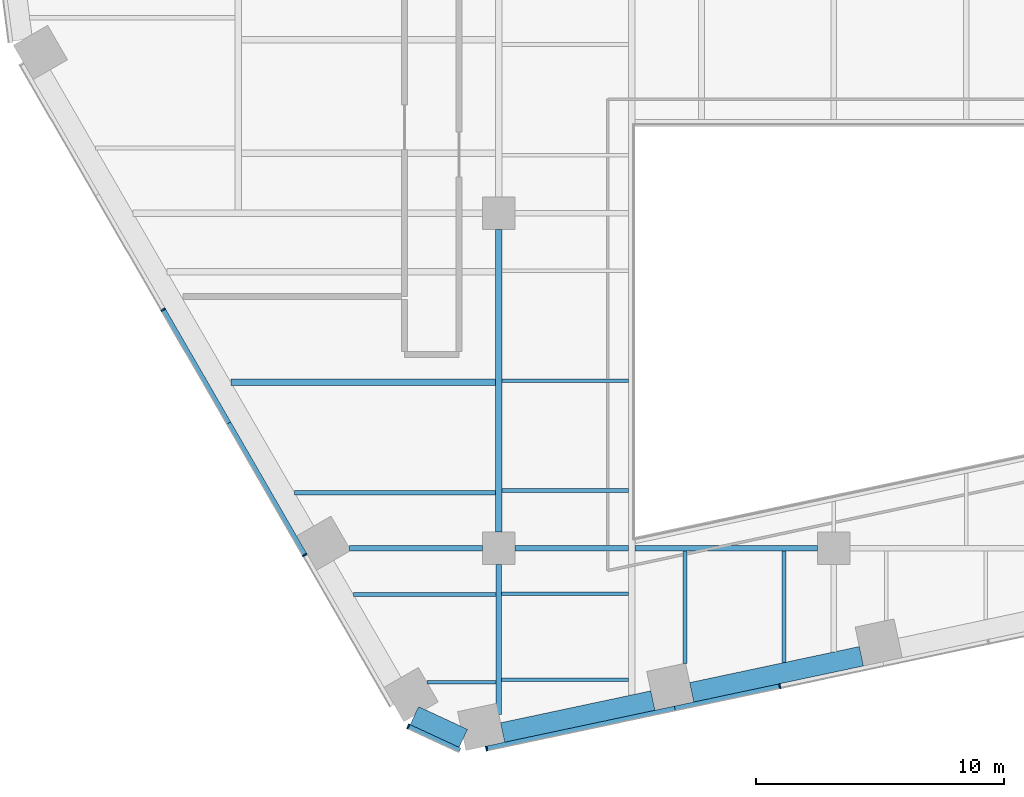
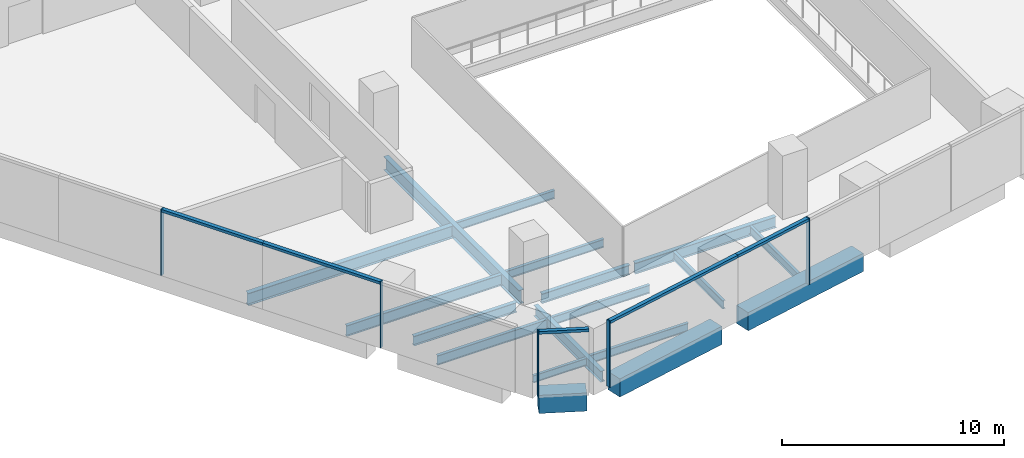
# One storey, part 2 of 19: 18 beams, 10 members, 3 elements without a shape of their own.
"""IFC4 building model written with IfcOpenShell, lengths in metres."""

from ifc_helpers import new_model, si_unit, direction, frame, origin, origin_2d, place, context, subcontext, project, spatial, rectangle, i_section, extrude, material, layer, layer_set, material_profile, profile_set, type_object, element, aggregate, save


model = new_model("IFC4")

# Units and contexts
model_context = context("Model", 3, precision=1e-05, world=origin(), true_north=direction((0.0, 1.0)))
body_context = subcontext(model_context, "Body", "Model", "MODEL_VIEW")
ifc_project = project(units=[si_unit("LENGTHUNIT", "METRE"), si_unit("AREAUNIT", "SQUARE_METRE"), si_unit("VOLUMEUNIT", "CUBIC_METRE"), si_unit("PLANEANGLEUNIT", "RADIAN"), si_unit("MASSUNIT", "GRAM", prefix="KILO")], contexts=[model_context])

# Site, building, storey
site_placement = place(None, origin())
site = spatial("IfcSite", under=ifc_project, at=site_placement, CompositionType="ELEMENT")
building_placement = place(site_placement, origin())
building = spatial("IfcBuilding", under=site, at=building_placement, Name="Isthmus Gate Tower", CompositionType="ELEMENT")
storey_placement = place(building_placement, frame((0.0, 0.0, 87.949951171875)))
storey = spatial("IfcBuildingStorey", under=building, at=storey_placement, Name="L20", CompositionType="ELEMENT", Elevation=87.949951171875)

# Curtain wall, members
ifc_material_1 = material(Name="Aluminium, pale champagne anodised", Category="aluminium")
ifc_layer = layer(ifc_material_1, 0.199951171875)
ifc_layer_set = layer_set([ifc_layer], Name="CW-1 UNITISED CURTAIN WALL 200 DEEP")
curtain_wall_type = type_object("IfcCurtainWallType", Name="CW-1 UNITISED CURTAIN WALL 200 DEEP", PredefinedType="NOTDEFINED", material=ifc_layer_set)
curtain_wall_1_placement = place(storey_placement, origin())
curtain_wall_1 = element("IfcCurtainWall", 1, at=curtain_wall_1_placement, inside=storey, type_object=curtain_wall_type, Name="CW-1 SW L20", PredefinedType="NOTDEFINED")
ifc_material_2 = material(Name="Aluminium, pale champagne anodised", Category="aluminium")
ifc_material_profile_1 = material_profile(ifc_material_2, rectangle(XDim=0.06005859375, YDim=0.199951171875, at=origin_2d()), Name="60x200")
ifc_profile_set_1 = profile_set([ifc_material_profile_1], Name="Aluminium, pale champagne anodised")
member_type_1 = type_object("IfcMemberType", Name="CW-1 MULLION 60 X 200", PredefinedType="MULLION", material=ifc_profile_set_1)
member_1_placement = place(storey_placement, frame((-27.026611328125, -17.388427734375, 0.0), z_axis=(0.0, 0.0, 1.0), x_axis=(0.5, -0.866025403784, 0.0)))
member_1 = element("IfcMember", 2, at=member_1_placement, type_object=member_type_1, Name="CW-1 mullion", PredefinedType="MULLION", context=body_context, shape_type="SweptSolid", body=[
    extrude(rectangle(XDim=0.06005859375, YDim=0.199951171875, at=origin_2d()), origin(), (0.0, 0.0, 1.0), 3.650146484375),
])
member_2_placement = place(storey_placement, frame((-21.318115234375, -27.27587890625, 0.0), z_axis=(0.0, 0.0, 1.0), x_axis=(0.5, -0.866025403784, 0.0)))
member_2 = element("IfcMember", 3, at=member_2_placement, type_object=member_type_1, Name="CW-1 mullion", PredefinedType="MULLION", context=body_context, shape_type="SweptSolid", body=[
    extrude(rectangle(XDim=0.06005859375, YDim=0.199951171875, at=origin_2d()), origin(), (0.0, 0.0, 1.0), 3.650146484375),
])

# Curtain wall, member
curtain_wall_2_placement = place(storey_placement, origin())
curtain_wall_2 = element("IfcCurtainWall", 4, at=curtain_wall_2_placement, inside=storey, type_object=curtain_wall_type, Name="CW-1 SW-S L20", PredefinedType="NOTDEFINED")
member_3_placement = place(storey_placement, frame((-17.14794921875, -34.184814453125, 0.0), z_axis=(0.0, 0.0, 1.0), x_axis=(0.907256261367, -0.420578264073, 0.0)))
member_3 = element("IfcMember", 5, at=member_3_placement, type_object=member_type_1, Name="CW-1 mullion", PredefinedType="MULLION", context=body_context, shape_type="SweptSolid", body=[
    extrude(rectangle(XDim=0.06005859375, YDim=0.199951171875, at=origin_2d()), origin(), (0.0, 0.0, 1.0), 3.650146484375),
])

# Curtain wall, members
curtain_wall_3_placement = place(storey_placement, origin())
curtain_wall_3 = element("IfcCurtainWall", 6, at=curtain_wall_3_placement, inside=storey, type_object=curtain_wall_type, Name="CW-1 S L20", PredefinedType="NOTDEFINED")
member_4_placement = place(storey_placement, frame((-13.992919921875, -35.076416015625, 0.0), z_axis=(0.0, 0.0, 1.0), x_axis=(0.978147600734, 0.207911690818, 0.0)))
member_4 = element("IfcMember", 7, at=member_4_placement, type_object=member_type_1, Name="CW-1 mullion", PredefinedType="MULLION", context=body_context, shape_type="SweptSolid", body=[
    extrude(rectangle(XDim=0.06005859375, YDim=0.199951171875, at=origin_2d()), origin(), (0.0, 0.0, 1.0), 3.650146484375),
])
member_5_placement = place(storey_placement, frame((-2.1728515625, -32.564208984375, 0.0), z_axis=(0.0, 0.0, 1.0), x_axis=(0.978147600734, 0.207911690818, 0.0)))
member_5 = element("IfcMember", 8, at=member_5_placement, type_object=member_type_1, Name="CW-1 mullion", PredefinedType="MULLION", context=body_context, shape_type="SweptSolid", body=[
    extrude(rectangle(XDim=0.06005859375, YDim=0.199951171875, at=origin_2d()), origin(), (0.0, 0.0, 1.0), 3.650146484375),
])

# Member
ifc_material_3 = material(Name="Aluminium, pale champagne anodised", Category="aluminium")
ifc_material_profile_2 = material_profile(ifc_material_3, rectangle(XDim=0.199951171875, YDim=0.14990234375, at=origin_2d()), Name="200x150")
ifc_profile_set_2 = profile_set([ifc_material_profile_2], Name="Aluminium, pale champagne anodised")
member_type_2 = type_object("IfcMemberType", Name="CW-1 TRANSOM 200 X 150", PredefinedType="USERDEFINED", material=ifc_profile_set_2)
member_6_placement = place(storey_placement, frame((-27.01171875, -17.414306640625, 3.574951171875), z_axis=(0.499996256241, -0.866027565234, 0.0), x_axis=(0.866027565234, 0.499996256241, 0.0)))
member_6 = element("IfcMember", 9, at=member_6_placement, type_object=member_type_2, Name="CW-1 transom", ObjectType="TRANSOM", PredefinedType="USERDEFINED", context=body_context, shape_type="SweptSolid", body=[
    extrude(rectangle(XDim=0.199951171875, YDim=0.14990234375, at=origin_2d()), origin(), (0.0, 0.0, 1.0), 5.24853515625),
])

member_7_placement = place(storey_placement, frame((-24.387451171875, -21.959716796875, 3.574951171875), z_axis=(0.500011900272, -0.86601853305, 0.0), x_axis=(0.86601853305, 0.500011900272, 0.0)))
member_7 = element("IfcMember", 10, at=member_7_placement, type_object=member_type_2, Name="CW-1 transom", ObjectType="TRANSOM", PredefinedType="USERDEFINED", context=body_context, shape_type="SweptSolid", body=[
    extrude(rectangle(XDim=0.199951171875, YDim=0.14990234375, at=origin_2d()), origin(), (0.0, 0.0, 1.0), 6.108642578125),
])

aggregate(curtain_wall_1, [member_1, member_6, member_7, member_2])

member_8_placement = place(storey_placement, frame((-17.120849609375, -34.197509765625, 3.574951171875), z_axis=(0.907246225564, -0.420599912268, 0.0), x_axis=(0.420599912268, 0.907246225564, 0.0)))
member_8 = element("IfcMember", 11, at=member_8_placement, type_object=member_type_2, Name="CW-1 transom", ObjectType="TRANSOM", PredefinedType="USERDEFINED", context=body_context, shape_type="SweptSolid", body=[
    extrude(rectangle(XDim=0.199951171875, YDim=0.14990234375, at=origin_2d()), origin(), (0.0, 0.0, 1.0), 2.258544921875),
])

aggregate(curtain_wall_2, [member_3, member_8])

member_9_placement = place(storey_placement, frame((-13.963623046875, -35.0703125, 3.574951171875), z_axis=(0.97815050153, 0.207898043176, 0.0), x_axis=(-0.207898043176, 0.97815050153, 0.0)))
member_9 = element("IfcMember", 12, at=member_9_placement, type_object=member_type_2, Name="CW-1 transom", ObjectType="TRANSOM", PredefinedType="USERDEFINED", context=body_context, shape_type="SweptSolid", body=[
    extrude(rectangle(XDim=0.199951171875, YDim=0.14990234375, at=origin_2d()), origin(), (0.0, 0.0, 1.0), 7.7294921875),
])

member_10_placement = place(storey_placement, frame((-6.403076171875, -33.46337890625, 3.574951171875), z_axis=(0.97813890815, 0.207952582007, 0.0), x_axis=(-0.207952582007, 0.97813890815, 0.0)))
member_10 = element("IfcMember", 13, at=member_10_placement, type_object=member_type_2, Name="CW-1 transom", ObjectType="TRANSOM", PredefinedType="USERDEFINED", context=body_context, shape_type="SweptSolid", body=[
    extrude(rectangle(XDim=0.199951171875, YDim=0.14990234375, at=origin_2d()), origin(), (0.0, 0.0, 1.0), 4.294677734375),
])

aggregate(curtain_wall_3, [member_4, member_9, member_10, member_5])

# Beams
ifc_material_4 = material(Name="Concrete f'c 70 MPa", Category="concrete")
ifc_material_profile_3 = material_profile(ifc_material_4, rectangle(XDim=0.800048828125, YDim=1.0, at=origin_2d()), Name="RC 800X1000")
ifc_profile_set_3 = profile_set([ifc_material_profile_3], Name="Concrete f'c 70 MPa")
beam_type_1 = type_object("IfcBeamType", Name="RC SPANDREL 800 X 1000", PredefinedType="SPANDREL", material=ifc_profile_set_3)
beam_1_placement = place(storey_placement, frame((1.112060546875, -31.354736328125, -0.5), z_axis=(-0.978149173437, -0.207904291694, 0.0), x_axis=(0.207904291694, -0.978149173437, 0.0)))
element("IfcBeam", 14, at=beam_1_placement, inside=storey, type_object=beam_type_1, Name="str-spandrel-L20-12", PredefinedType="SPANDREL", context=body_context, shape_type="SweptSolid", body=[
    extrude(rectangle(XDim=0.800048828125, YDim=1.0, at=origin_2d()), origin(), (0.0, 0.0, 1.0), 6.989501953125),
])
beam_2_placement = place(storey_placement, frame((-7.28955078125, -33.140625, -0.5), z_axis=(-0.978155442329, -0.207874795591, 0.0), x_axis=(0.207874795591, -0.978155442329, 0.0)))
element("IfcBeam", 15, at=beam_2_placement, inside=storey, type_object=beam_type_1, Name="str-spandrel-L20-13", PredefinedType="SPANDREL", context=body_context, shape_type="SweptSolid", body=[
    extrude(rectangle(XDim=0.800048828125, YDim=1.0, at=origin_2d()), origin(), (0.0, 0.0, 1.0), 6.189453125),
])
beam_3_placement = place(storey_placement, frame((-14.929443359375, -34.662109375, -0.5), z_axis=(-0.907290744498, 0.420503870314, 0.0), x_axis=(-0.420503870314, -0.907290744498, 0.0)))
element("IfcBeam", 16, at=beam_3_placement, inside=storey, type_object=beam_type_1, Name="str-spandrel-L20-14", PredefinedType="SPANDREL", context=body_context, shape_type="SweptSolid", body=[
    extrude(rectangle(XDim=0.800048828125, YDim=1.0, at=origin_2d()), origin(), (0.0, 0.0, 1.0), 2.173095703125),
])
ifc_material_5 = material(Name="Structural steel ASTM A992 Gr 50", Category="steel")
ifc_material_profile_4 = material_profile(ifc_material_5, i_section(OverallWidth=0.1396484375, OverallDepth=0.4033203125, WebThickness=0.00634765625, FlangeThickness=0.010986328125, at=origin_2d()), Name="W16X31")
ifc_profile_set_4 = profile_set([ifc_material_profile_4], Name="Structural steel ASTM A992 Gr 50")
beam_type_2 = type_object("IfcBeamType", Name="STEEL FLOOR BEAM W16X31", PredefinedType="JOIST", material=ifc_profile_set_4)
beam_4_placement = place(storey_placement, frame((-16.393310546875, -32.406005859375, -0.3515625), z_axis=(1.0, 0.0, 0.0), x_axis=(0.0, 1.0, 0.0)))
element("IfcBeam", 17, at=beam_4_placement, inside=storey, type_object=beam_type_2, Name="str-beam-L20-10-00", PredefinedType="JOIST", context=body_context, shape_type="SweptSolid", body=[
    extrude(i_section(OverallWidth=0.1396484375, OverallDepth=0.4033203125, WebThickness=0.00634765625, FlangeThickness=0.010986328125, at=origin_2d()), origin(), (0.0, 0.0, 1.0), 2.779052734375),
])
ifc_material_6 = material(Name="Structural steel ASTM A992 Gr 50", Category="steel")
ifc_material_profile_5 = material_profile(ifc_material_6, i_section(OverallWidth=0.15234375, OverallDepth=0.45068359375, WebThickness=0.0078125, FlangeThickness=0.010986328125, at=origin_2d()), Name="W18X35")
ifc_profile_set_5 = profile_set([ifc_material_profile_5], Name="Structural steel ASTM A992 Gr 50")
beam_type_3 = type_object("IfcBeamType", Name="STEEL FLOOR BEAM W18X35", PredefinedType="JOIST", material=ifc_profile_set_5)
for number, where, z_axis, x_axis, name in (
    (18, (-13.3857421875, -32.30322265625, -0.375244140625), (1.0, 0.0, 0.0), (0.0, 1.0, 0.0), "str-beam-L20-11-00"),
    (19, (-13.3857421875, -28.837646484375, -0.375244140625), (1.0, 0.0, 0.0), (0.0, 1.0, 0.0), "str-beam-L20-11-01"),
):
    element("IfcBeam", number, at=place(storey_placement, frame(where, z_axis=z_axis, x_axis=x_axis)), inside=storey, type_object=beam_type_3, Name=name, PredefinedType="JOIST", context=body_context, shape_type="SweptSolid", body=[
        extrude(i_section(OverallWidth=0.15234375, OverallDepth=0.45068359375, WebThickness=0.0078125, FlangeThickness=0.010986328125, at=origin_2d()), origin(), (0.0, 0.0, 1.0), 5.119140625),
    ])
for number, where, z_axis, x_axis, name in (
    (20, (-13.3681640625, -24.68017578125, -0.375244140625), (1.0, 0.0, 0.0), (0.0, 1.0, 0.0), "str-beam-L20-13-00"),
    (21, (-13.3681640625, -20.25, -0.375244140625), (1.0, 0.0, 0.0), (0.0, 1.0, 0.0), "str-beam-L20-13-01"),
):
    element("IfcBeam", number, at=place(storey_placement, frame(where, z_axis=z_axis, x_axis=x_axis)), inside=storey, type_object=beam_type_3, Name=name, PredefinedType="JOIST", context=body_context, shape_type="SweptSolid", body=[
        extrude(i_section(OverallWidth=0.15234375, OverallDepth=0.45068359375, WebThickness=0.0078125, FlangeThickness=0.010986328125, at=origin_2d()), origin(), (0.0, 0.0, 1.0), 5.1015625),
    ])
beam_5_placement = place(storey_placement, frame((-6.0, -31.6396484375, -0.375244140625), z_axis=(0.0, 1.0, 0.0), x_axis=(-1.0, 0.0, 0.0)))
element("IfcBeam", 22, at=beam_5_placement, inside=storey, type_object=beam_type_3, Name="str-beam-L20-16-00", PredefinedType="JOIST", context=body_context, shape_type="SweptSolid", body=[
    extrude(i_section(OverallWidth=0.15234375, OverallDepth=0.45068359375, WebThickness=0.0078125, FlangeThickness=0.010986328125, at=origin_2d()), origin(), (0.0, 0.0, 1.0), 4.525390625),
])
beam_6_placement = place(storey_placement, frame((-2.0, -31.607177734375, -0.375244140625), z_axis=(0.0, 1.0, 0.0), x_axis=(-1.0, 0.0, 0.0)))
element("IfcBeam", 23, at=beam_6_placement, inside=storey, type_object=beam_type_3, Name="str-beam-L20-16-01", PredefinedType="JOIST", context=body_context, shape_type="SweptSolid", body=[
    extrude(i_section(OverallWidth=0.15234375, OverallDepth=0.45068359375, WebThickness=0.0078125, FlangeThickness=0.010986328125, at=origin_2d()), origin(), (0.0, 0.0, 1.0), 4.492919921875),
])
ifc_material_7 = material(Name="Structural steel ASTM A992 Gr 50", Category="steel")
ifc_material_profile_6 = material_profile(ifc_material_7, i_section(OverallWidth=0.1650390625, OverallDepth=0.52392578125, WebThickness=0.009521484375, FlangeThickness=0.010986328125, at=origin_2d()), Name="W21X44")
ifc_profile_set_6 = profile_set([ifc_material_profile_6], Name="Structural steel ASTM A992 Gr 50")
beam_type_4 = type_object("IfcBeamType", Name="STEEL FLOOR BEAM W21X44", PredefinedType="JOIST", material=ifc_profile_set_6)
beam_7_placement = place(storey_placement, frame((-19.357421875, -28.871826171875, -0.411865234375), z_axis=(1.0, 0.0, 0.0), x_axis=(0.0, 1.0, 0.0)))
element("IfcBeam", 24, at=beam_7_placement, inside=storey, type_object=beam_type_4, Name="str-beam-L20-10-01", PredefinedType="JOIST", context=body_context, shape_type="SweptSolid", body=[
    extrude(i_section(OverallWidth=0.1650390625, OverallDepth=0.52392578125, WebThickness=0.009521484375, FlangeThickness=0.010986328125, at=origin_2d()), origin(), (0.0, 0.0, 1.0), 5.7431640625),
])
ifc_material_8 = material(Name="Structural steel ASTM A992 Gr 50", Category="steel")
ifc_material_profile_7 = material_profile(ifc_material_8, i_section(OverallWidth=0.177734375, OverallDepth=0.60009765625, WebThickness=0.009521484375, FlangeThickness=0.0126953125, at=origin_2d()), Name="W24X55")
ifc_profile_set_7 = profile_set([ifc_material_profile_7], Name="Structural steel ASTM A992 Gr 50")
beam_type_5 = type_object("IfcBeamType", Name="STEEL FLOOR BEAM W24X55", PredefinedType="JOIST", material=ifc_profile_set_7)
beam_8_placement = place(storey_placement, frame((-21.724365234375, -24.772216796875, -0.449951171875), z_axis=(1.0, 0.0, 0.0), x_axis=(0.0, 1.0, 0.0)))
element("IfcBeam", 25, at=beam_8_placement, inside=storey, type_object=beam_type_5, Name="str-beam-L20-06-00", PredefinedType="JOIST", context=body_context, shape_type="SweptSolid", body=[
    extrude(i_section(OverallWidth=0.177734375, OverallDepth=0.60009765625, WebThickness=0.009521484375, FlangeThickness=0.0126953125, at=origin_2d()), origin(), (0.0, 0.0, 1.0), 8.092529296875),
])
ifc_material_9 = material(Name="Structural steel ASTM A992 Gr 50", Category="steel")
ifc_material_profile_8 = material_profile(ifc_material_9, i_section(OverallWidth=0.25390625, OverallDepth=0.679443359375, WebThickness=0.010986328125, FlangeThickness=0.015869140625, at=origin_2d()), Name="W27X84")
ifc_profile_set_8 = profile_set([ifc_material_profile_8], Name="Structural steel ASTM A992 Gr 50")
beam_type_6 = type_object("IfcBeamType", Name="STEEL FLOOR BEAM W27X84", PredefinedType="JOIST", material=ifc_profile_set_8)
beam_9_placement = place(storey_placement, frame((-24.296875, -20.316650390625, -0.48974609375), z_axis=(1.0, 0.0, 0.0), x_axis=(0.0, 1.0, 0.0)))
element("IfcBeam", 26, at=beam_9_placement, inside=storey, type_object=beam_type_6, Name="str-beam-L20-06-01", PredefinedType="JOIST", context=body_context, shape_type="SweptSolid", body=[
    extrude(i_section(OverallWidth=0.25390625, OverallDepth=0.679443359375, WebThickness=0.010986328125, FlangeThickness=0.015869140625, at=origin_2d()), origin(), (0.0, 0.0, 1.0), 10.6650390625),
])
ifc_material_10 = material(Name="Structural steel ASTM A992 Gr 50", Category="steel")
ifc_material_profile_9 = material_profile(ifc_material_10, i_section(OverallWidth=0.20947265625, OverallDepth=0.533447265625, WebThickness=0.009521484375, FlangeThickness=0.015869140625, at=origin_2d()), Name="W21X62")
ifc_profile_set_9 = profile_set([ifc_material_profile_9], Name="Structural steel ASTM A992 Gr 50")
beam_type_7 = type_object("IfcBeamType", Name="STEEL GIRDER W21X62", PredefinedType="BEAM", material=ifc_profile_set_9)
beam_10_placement = place(storey_placement, frame((-19.514404296875, -27.0, -0.416748046875), z_axis=(1.0, 0.0, 0.0), x_axis=(0.0, 1.0, 0.0)))
element("IfcBeam", 27, at=beam_10_placement, inside=storey, type_object=beam_type_7, Name="str-girder-L20-01", PredefinedType="BEAM", context=body_context, shape_type="SweptSolid", body=[
    extrude(i_section(OverallWidth=0.20947265625, OverallDepth=0.533447265625, WebThickness=0.009521484375, FlangeThickness=0.015869140625, at=origin_2d()), origin(), (0.0, 0.0, 1.0), 5.364501953125),
])
beam_11_placement = place(storey_placement, frame((-12.85009765625, -27.0, -0.416748046875), z_axis=(1.0, 0.0, 0.0), x_axis=(0.0, 1.0, 0.0)))
element("IfcBeam", 28, at=beam_11_placement, inside=storey, type_object=beam_type_7, Name="str-girder-L20-02", PredefinedType="BEAM", context=body_context, shape_type="SweptSolid", body=[
    extrude(i_section(OverallWidth=0.20947265625, OverallDepth=0.533447265625, WebThickness=0.009521484375, FlangeThickness=0.015869140625, at=origin_2d()), origin(), (0.0, 0.0, 1.0), 4.58349609375),
])
ifc_material_11 = material(Name="Structural steel ASTM A992 Gr 50", Category="steel")
ifc_material_profile_10 = material_profile(ifc_material_11, i_section(OverallWidth=0.228515625, OverallDepth=0.603271484375, WebThickness=0.010986328125, FlangeThickness=0.014404296875, at=origin_2d()), Name="W24X68")
ifc_profile_set_10 = profile_set([ifc_material_profile_10], Name="Structural steel ASTM A992 Gr 50")
beam_type_8 = type_object("IfcBeamType", Name="STEEL GIRDER W24X68", PredefinedType="BEAM", material=ifc_profile_set_10)
beam_12_placement = place(storey_placement, frame((-8.0, -27.0, -0.45166015625), z_axis=(1.0, 0.0, 0.0), x_axis=(0.0, 1.0, 0.0)))
element("IfcBeam", 29, at=beam_12_placement, inside=storey, type_object=beam_type_8, Name="str-girder-L20-03", PredefinedType="BEAM", context=body_context, shape_type="SweptSolid", body=[
    extrude(i_section(OverallWidth=0.228515625, OverallDepth=0.603271484375, WebThickness=0.010986328125, FlangeThickness=0.014404296875, at=origin_2d()), origin(), (0.0, 0.0, 1.0), 7.35009765625),
])
beam_13_placement = place(storey_placement, frame((-13.5, -33.69189453125, -0.45166015625), z_axis=(0.0, 1.0, 0.0), x_axis=(-1.0, 0.0, 0.0)))
element("IfcBeam", 30, at=beam_13_placement, inside=storey, type_object=beam_type_8, Name="str-girder-L20-24", PredefinedType="BEAM", context=body_context, shape_type="SweptSolid", body=[
    extrude(i_section(OverallWidth=0.228515625, OverallDepth=0.603271484375, WebThickness=0.010986328125, FlangeThickness=0.014404296875, at=origin_2d()), origin(), (0.0, 0.0, 1.0), 6.0419921875),
])
ifc_material_12 = material(Name="Structural steel ASTM A992 Gr 50", Category="steel")
ifc_material_profile_11 = material_profile(ifc_material_12, i_section(OverallWidth=0.263427734375, OverallDepth=0.749267578125, WebThickness=0.0126953125, FlangeThickness=0.015869140625, at=origin_2d()), Name="W30X90")
ifc_profile_set_11 = profile_set([ifc_material_profile_11], Name="Structural steel ASTM A992 Gr 50")
beam_type_9 = type_object("IfcBeamType", Name="STEEL GIRDER W30X90", PredefinedType="BEAM", material=ifc_profile_set_11)
beam_14_placement = place(storey_placement, frame((-13.5, -26.35009765625, -0.524658203125), z_axis=(0.0, 1.0, 0.0), x_axis=(-1.0, 0.0, 0.0)))
element("IfcBeam", 31, at=beam_14_placement, inside=storey, type_object=beam_type_9, Name="str-girder-L20-25", PredefinedType="BEAM", context=body_context, shape_type="SweptSolid", body=[
    extrude(i_section(OverallWidth=0.263427734375, OverallDepth=0.749267578125, WebThickness=0.0126953125, FlangeThickness=0.015869140625, at=origin_2d()), origin(), (0.0, 0.0, 1.0), 12.2001953125),
])

save(model, "model.ifc")
